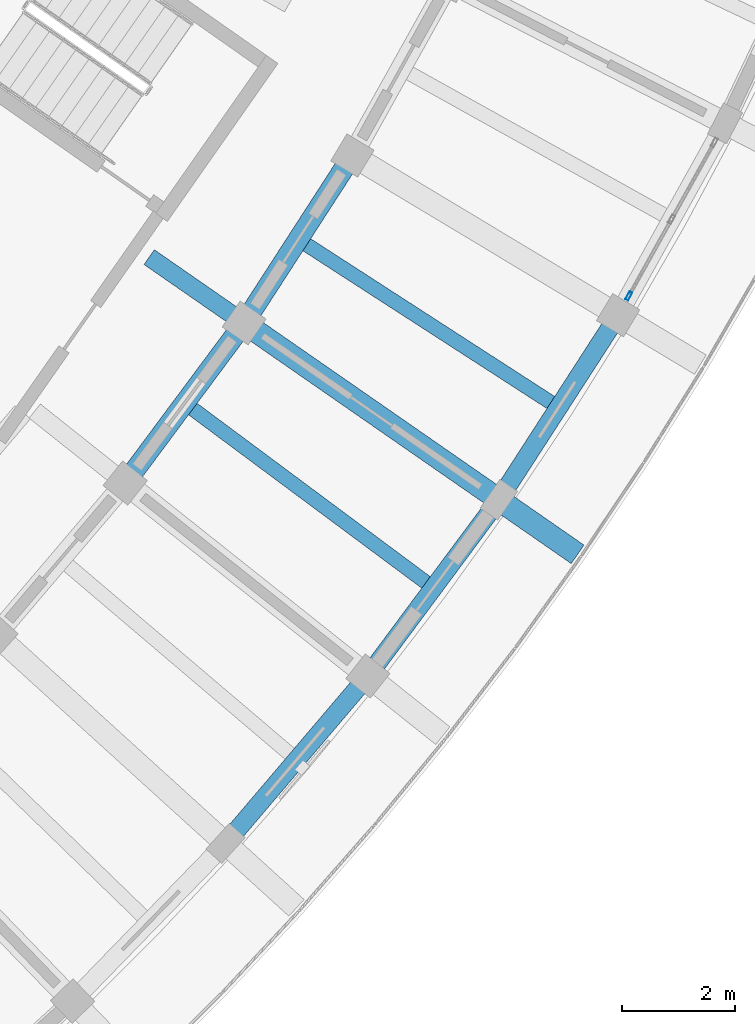
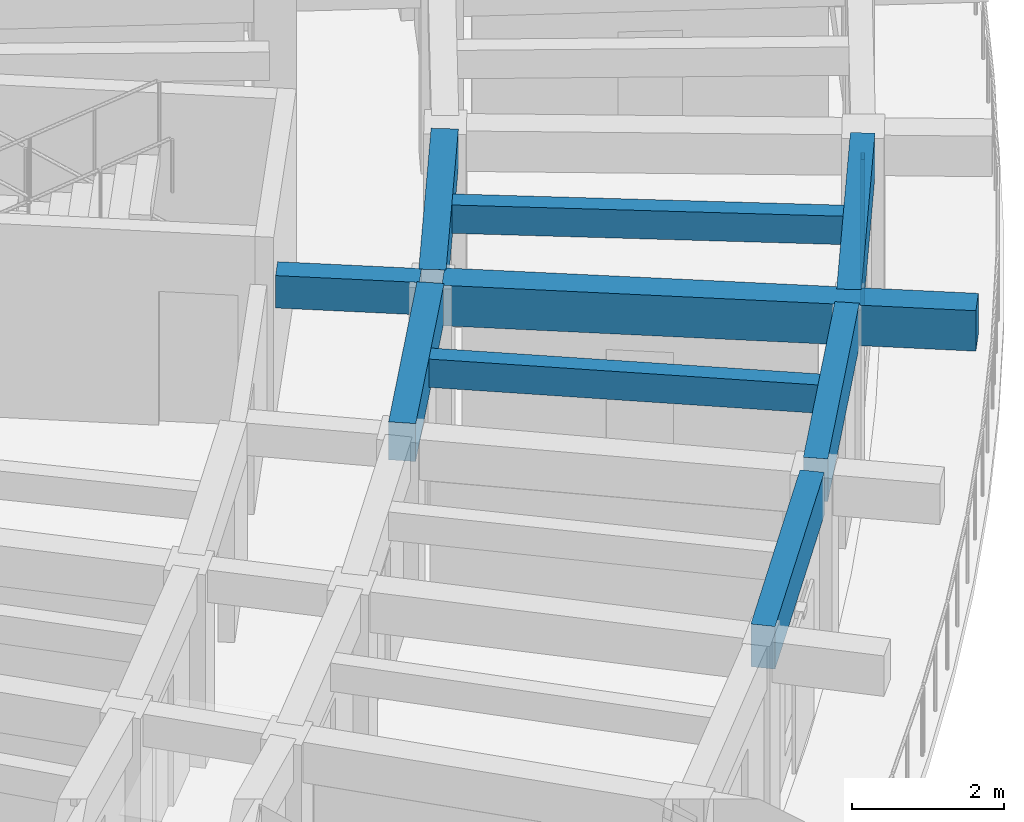
# One storey, part 30 of 96: 9 beams, 1 member, 1 element without a shape of its own.
"""IFC4 building model written with IfcOpenShell, lengths in metres."""

import ifcopenshell
import ifcopenshell.guid

model = None  # the IFC model being written
_history = None  # IfcOwnerHistory: only IFC2X3 demands one
_inside = {}  # id of a spatial element -> (the spatial element, [elements in it])
_under = {}  # id of a project, library or spatial element -> (it, [spatial elements below it])
_declared = {}  # id of a project -> (the project, [libraries it declares])
_typed = {}  # id of a type object -> (the type object, [elements of that type])
_made_of = {}  # id of a material, layer set ... -> (it, [elements and type objects made of it])


def new_model(schema):
    """Start an empty IFC model of exactly this schema.

    Asked for "IFC4X3", IfcOpenShell would pick the latest addendum, in which some entities
    have other attributes; the version numbers below select the first issue.
    IFC2X3 requires an IfcOwnerHistory on every rooted entity: one is made here for all.
    """
    global model, _history
    if schema == "IFC4X3":
        model = ifcopenshell.file(schema_version=(4, 3, 0, 0))
    else:
        model = ifcopenshell.file(schema=schema)
    _inside.clear()
    _under.clear()
    _declared.clear()
    _typed.clear()
    _made_of.clear()
    _history = None
    if model.schema == "IFC2X3":
        org = make("IfcOrganization", Name="unknown")
        user = make(
            "IfcPersonAndOrganization",
            ThePerson=make("IfcPerson", FamilyName="unknown"),
            TheOrganization=org,
        )
        app = make(
            "IfcApplication",
            ApplicationDeveloper=org,
            Version="unknown",
            ApplicationFullName="unknown",
            ApplicationIdentifier="unknown",
        )
        _history = make(
            "IfcOwnerHistory",
            OwningUser=user,
            OwningApplication=app,
            ChangeAction="ADDED",
            CreationDate=0,
        )
    return model


def make(cls, **values):
    """One entity of the class cls with the attributes given. An attribute that is None is left unset."""
    return model.create_entity(
        cls, **{name: value for name, value in values.items() if value is not None}
    )


def rooted(cls, **values):
    """An entity with a GlobalId (a new one), such as an element, a storey or a relation."""
    return make(cls, GlobalId=ifcopenshell.guid.new(), OwnerHistory=_history, **values)


def si_unit(unit_type, name, prefix=None):
    """IfcSIUnit, for example si_unit("LENGTHUNIT", "METRE", prefix="MILLI")."""
    return make("IfcSIUnit", UnitType=unit_type, Prefix=prefix, Name=name)


def assignment(units):
    """IfcUnitAssignment: the units of a project."""
    return None if units is None else make("IfcUnitAssignment", Units=units)


def point(xyz):
    """IfcCartesianPoint."""
    return None if xyz is None else make("IfcCartesianPoint", Coordinates=xyz)


def direction(xyz):
    """IfcDirection."""
    return None if xyz is None else make("IfcDirection", DirectionRatios=xyz)


def frame(location, z_axis=None, x_axis=None):
    """IfcAxis2Placement3D, a coordinate frame: its origin and axes. An axis left out is left unset."""
    return make(
        "IfcAxis2Placement3D",
        Location=point(location),
        Axis=direction(z_axis),
        RefDirection=direction(x_axis),
    )


def frame_2d(location, x_axis=None):
    """IfcAxis2Placement2D, a coordinate frame in the plane: its origin and x axis."""
    return make(
        "IfcAxis2Placement2D", Location=point(location), RefDirection=direction(x_axis)
    )


def origin():
    """The frame at (0, 0, 0) with its axes left unset."""
    return frame((0.0, 0.0, 0.0))


def origin_2d():
    """The frame at (0, 0) in the plane with its x axis left unset."""
    return frame_2d((0.0, 0.0))


def place(relative_to, where):
    """IfcLocalPlacement: puts the frame where relative to a parent placement (None: the world)."""
    return make(
        "IfcLocalPlacement", PlacementRelTo=relative_to, RelativePlacement=where
    )


def context(
    kind, dimensions, precision=None, world=None, true_north=None, identifier=None
):
    """IfcGeometricRepresentationContext, for example the 3D "Model" context."""
    return make(
        "IfcGeometricRepresentationContext",
        ContextIdentifier=identifier,
        ContextType=kind,
        CoordinateSpaceDimension=dimensions,
        Precision=precision,
        WorldCoordinateSystem=world,
        TrueNorth=true_north,
    )


def subcontext(parent, identifier, kind, view, scale=None):
    """IfcGeometricRepresentationSubContext, for example "Body" below "Model"."""
    return make(
        "IfcGeometricRepresentationSubContext",
        ContextIdentifier=identifier,
        ContextType=kind,
        ParentContext=parent,
        TargetScale=scale,
        TargetView=view,
    )


def project(units=None, contexts=None):
    """IfcProject with its units and contexts."""
    return rooted(
        "IfcProject",
        Name="project",
        RepresentationContexts=contexts,
        UnitsInContext=assignment(units),
    )


def spatial(cls, under=None, at=None, **own):
    """A site, building, storey or space (cls), placed at a placement, below another one or the project."""
    s = rooted(cls, ObjectPlacement=at, **own)
    if under is not None:
        _under.setdefault(under.id(), (under, []))[1].append(s)
    return s


def profile(cls, at=None, kind="AREA", **sizes):
    """A parametric profile (cls). Its sizes go by their IFC names, for example OverallWidth=200.0."""
    return make(cls, ProfileType=kind, Position=at, **sizes)


def rectangle(**sizes):
    """IfcRectangleProfileDef."""
    return profile("IfcRectangleProfileDef", **sizes)


def hollow_rectangle(**sizes):
    """IfcRectangleHollowProfileDef."""
    return profile("IfcRectangleHollowProfileDef", **sizes)


def extrude(swept, where, along, depth):
    """IfcExtrudedAreaSolid: the profile swept, set in the frame where, extruded along a direction by depth."""
    return make(
        "IfcExtrudedAreaSolid",
        SweptArea=swept,
        Position=where,
        ExtrudedDirection=direction(along),
        Depth=depth,
    )


def shape(context_of_items, identifier, shape_type, items):
    """IfcShapeRepresentation: the items that make up one representation, for example the "Body"."""
    return make(
        "IfcShapeRepresentation",
        ContextOfItems=context_of_items,
        RepresentationIdentifier=identifier,
        RepresentationType=shape_type,
        Items=items,
    )


def material(Name=None, Category=None):
    """IfcMaterial."""
    return make("IfcMaterial", Name=Name, Category=Category)


def material_profile(
    of_material, cross_section, Name=None, Category=None, Priority=None
):
    """IfcMaterialProfile: a cross section and its material."""
    return make(
        "IfcMaterialProfile",
        Name=Name,
        Material=of_material,
        Profile=cross_section,
        Priority=Priority,
        Category=Category,
    )


def profile_set(profiles, Name=None, composite=None):
    """IfcMaterialProfileSet."""
    return make(
        "IfcMaterialProfileSet",
        Name=Name,
        MaterialProfiles=profiles,
        CompositeProfile=composite,
    )


def made_of(thing, what):
    """Note that an element or type object is made of a material, layer set ...; save() writes the relation."""
    if what is not None:
        _made_of.setdefault(what.id(), (what, []))[1].append(thing)
    return thing


def type_object(cls, material=None, **own):
    """A type object (cls), such as IfcWallType, which elements share."""
    return made_of(rooted(cls, **own), material)


def element(
    cls,
    number,
    at=None,
    inside=None,
    cuts=None,
    type_object=None,
    material=None,
    context=None,
    identifier="Body",
    shape_type=None,
    held_by="IfcProductDefinitionShape",
    body=None,
    shapes=None,
    **own,
):
    """One element of the class cls, such as IfcWall. Its Tag is "e" and its number.

    at: its placement. inside: the storey or other place that contains it. cuts: it is an
    opening in that element (IfcRelVoidsElement). A single representation is given by context,
    identifier, shape_type and body (its items); several are given by shapes. held_by: the class
    of the entity that holds the representations. save() writes the other relations.
    """
    e = rooted(cls, Tag="e%d" % number, ObjectPlacement=at, **own)
    if body is not None:
        shapes = [shape(context, identifier, shape_type, body)]
    if shapes is not None:
        e.Representation = make(held_by, Representations=shapes)
    if inside is not None:
        _inside.setdefault(inside.id(), (inside, []))[1].append(e)
    if cuts is not None:
        rooted(
            "IfcRelVoidsElement", RelatingBuildingElement=cuts, RelatedOpeningElement=e
        )
    if type_object is not None:
        _typed.setdefault(type_object.id(), (type_object, []))[1].append(e)
    return made_of(e, material)


def aggregate(whole, parts):
    """IfcRelAggregates: a whole, such as a stair, and the parts it consists of."""
    return rooted("IfcRelAggregates", RelatingObject=whole, RelatedObjects=parts)


def save(model, path):
    """Write the relations noted so far, then the file.

    IfcRelAggregates (storeys below a building ...), IfcRelContainedInSpatialStructure (elements
    in a storey), IfcRelDefinesByType, IfcRelAssociatesMaterial and IfcRelDeclares: one each for
    every whole, place, type object, material and project.
    """
    for whole, parts in _under.values():
        aggregate(whole, parts)
    for where, things in _inside.values():
        rooted(
            "IfcRelContainedInSpatialStructure",
            RelatedElements=things,
            RelatingStructure=where,
        )
    for kind, things in _typed.values():
        rooted("IfcRelDefinesByType", RelatedObjects=things, RelatingType=kind)
    for what, things in _made_of.values():
        rooted("IfcRelAssociatesMaterial", RelatedObjects=things, RelatingMaterial=what)
    for by, libraries in _declared.values():
        rooted("IfcRelDeclares", RelatingContext=by, RelatedDefinitions=libraries)
    model.write(path)


model = new_model("IFC4")

# Units and contexts
model_context = context("Model", 3, precision=1e-05, world=origin(), true_north=direction((0.0, 1.0)))
body_context = subcontext(model_context, "Body", "Model", "MODEL_VIEW")
ifc_project = project(units=[si_unit("LENGTHUNIT", "METRE"), si_unit("AREAUNIT", "SQUARE_METRE"), si_unit("VOLUMEUNIT", "CUBIC_METRE"), si_unit("PLANEANGLEUNIT", "RADIAN"), si_unit("MASSUNIT", "GRAM", prefix="KILO")], contexts=[model_context])

# Site, building, storey
site_placement = place(None, origin())
site = spatial("IfcSite", under=ifc_project, at=site_placement, CompositionType="ELEMENT")
building_placement = place(site_placement, origin())
building = spatial("IfcBuilding", under=site, at=building_placement, Name="Tanwirah Colonnade Gardens", CompositionType="ELEMENT")
storey_placement = place(building_placement, frame((0.0, 0.0, 12.199951171875)))
storey = spatial("IfcBuildingStorey", under=building, at=storey_placement, Name="L03", CompositionType="ELEMENT", Elevation=12.199951171875)

# Beams
ifc_material_1 = material(Name="Precast concrete C40/50", Category="concrete")
ifc_material_profile_1 = material_profile(ifc_material_1, rectangle(XDim=0.360107421875, YDim=0.610107421875, at=origin_2d()), Name="PC-BM 360x610")
ifc_profile_set_1 = profile_set([ifc_material_profile_1], Name="Precast concrete C40/50")
beam_type_1 = type_object("IfcBeamType", Name="BM-PC300", PredefinedType="BEAM", material=ifc_profile_set_1)
beam_1_placement = place(storey_placement, frame((163.389404296875, 30.973388671875, 2.800048828125), z_axis=(0.596579473879, 0.802554005252, 0.0), x_axis=(-0.802554005252, 0.596579473879, 0.0)))
element("IfcBeam", 1, at=beam_1_placement, inside=storey, type_object=beam_type_1, Name="Block D L03 Circumferential Beam 10-R2", PredefinedType="BEAM", context=body_context, shape_type="SweptSolid", body=[
    extrude(rectangle(XDim=0.360107421875, YDim=0.610107421875, at=origin_2d()), origin(), (0.0, 0.0, 1.0), 3.237060546875),
])
beam_2_placement = place(storey_placement, frame((165.491455078125, 33.817626953125, 2.800048828125), z_axis=(0.542825891173, 0.839845254718, 0.0), x_axis=(-0.839845254718, 0.542825891173, 0.0)))
element("IfcBeam", 2, at=beam_2_placement, inside=storey, type_object=beam_type_1, Name="Block D L03 Circumferential Beam 11-R2", PredefinedType="BEAM", context=body_context, shape_type="SweptSolid", body=[
    extrude(rectangle(XDim=0.360107421875, YDim=0.610107421875, at=origin_2d()), origin(), (0.0, 0.0, 1.0), 3.23681640625),
])
ifc_material_profile_2 = material_profile(ifc_material_1, rectangle(XDim=0.320068359375, YDim=0.52001953125, at=origin_2d()), Name="PC-BM 320x520")
ifc_profile_set_2 = profile_set([ifc_material_profile_2], Name="Precast concrete C40/50")
beam_type_2 = type_object("IfcBeamType", Name="BM-PC320", PredefinedType="BEAM", material=ifc_profile_set_2)
beam_3_placement = place(storey_placement, frame((163.7255859375, 34.860107421875, 2.844970703125), z_axis=(0.821669163201, -0.569964723684, 0.0), x_axis=(0.569964723684, 0.821669163201, 0.0)))
element("IfcBeam", 3, at=beam_3_placement, inside=storey, type_object=beam_type_2, Name="Block D L03 Corridor Tie Beam 11", PredefinedType="BEAM", context=body_context, shape_type="SweptSolid", body=[
    extrude(rectangle(XDim=0.320068359375, YDim=0.52001953125, at=origin_2d()), origin(), (0.0, 0.0, 1.0), 1.900146484375),
])
ifc_material_2 = material(Name="Precast concrete C45/55", Category="concrete")
ifc_material_profile_3 = material_profile(ifc_material_2, rectangle(XDim=0.39990234375, YDim=0.64990234375, at=origin_2d()), Name="PC-BM 400x650")
ifc_profile_set_3 = profile_set([ifc_material_profile_3], Name="Precast concrete C45/55")
beam_type_3 = type_object("IfcBeamType", Name="BM-PC400", PredefinedType="BEAM", material=ifc_profile_set_3)
beam_4_placement = place(storey_placement, frame((165.533203125, 33.606201171875, 2.780029296875), z_axis=(0.821647028495, -0.569996632066, 0.0), x_axis=(0.569996632066, 0.821647028495, 0.0)))
element("IfcBeam", 4, at=beam_4_placement, inside=storey, type_object=beam_type_3, Name="Block D L03 Outer Radial Precast Girder 11", PredefinedType="BEAM", context=body_context, shape_type="SweptSolid", body=[
    extrude(rectangle(XDim=0.39990234375, YDim=0.64990234375, at=origin_2d()), origin(), (0.0, 0.0, 1.0), 7.050048828125),
])

# Curtain wall, member
ifc_material_3 = material(Name="Bronze-anodised aluminium and solar-control low-E glass", Category="aluminium")
curtain_wall_type = type_object("IfcCurtainWallType", Name="CW-LOB", PredefinedType="NOTDEFINED", material=ifc_material_3)
curtain_wall_placement = place(storey_placement, origin())
curtain_wall = element("IfcCurtainWall", 5, at=curtain_wall_placement, inside=storey, type_object=curtain_wall_type, Name="Curtain Wall CW-D-L03-OUT-12", PredefinedType="NOTDEFINED")
ifc_material_4 = material(Name="Bronze-anodised aluminium", Category="aluminium")
ifc_material_profile_4 = material_profile(ifc_material_4, hollow_rectangle(XDim=0.06005859375, YDim=0.159912109375, WallThickness=0.00390625, at=origin_2d()), Name="CW-MUL 60x160x4")
ifc_profile_set_4 = profile_set([ifc_material_profile_4], Name="Bronze-anodised aluminium")
member_type = type_object("IfcMemberType", Name="CWM-60x160", PredefinedType="MULLION", material=ifc_profile_set_4)
member_placement = place(storey_placement, frame((172.234130859375, 34.170166015625, 0.0), z_axis=(0.0, 0.0, 1.0), x_axis=(-0.873560768318, 0.486715095364, 0.0)))
member = element("IfcMember", 6, at=member_placement, type_object=member_type, Name="CW-LOB mullion 1", PredefinedType="MULLION", context=body_context, shape_type="SweptSolid", body=[
    extrude(hollow_rectangle(XDim=0.06005859375, YDim=0.159912109375, WallThickness=0.00390625, at=origin_2d()), origin(), (0.0, 0.0, 1.0), 2.35498046875),
])
aggregate(curtain_wall, [member])

# Beams
ifc_material_profile_5 = material_profile(ifc_material_1, rectangle(XDim=0.2548828125, YDim=0.455078125, at=origin_2d()), Name="PC-JST 255x455")
ifc_profile_set_5 = profile_set([ifc_material_profile_5], Name="Precast concrete C40/50")
beam_type_4 = type_object("IfcBeamType", Name="JST-PC240", PredefinedType="JOIST", material=ifc_profile_set_5)
for number, where, z_axis, x_axis, name in (
    (7, (164.474609375, 32.18359375, 2.87744140625), (0.802560347737, -0.596570941499, 0.0), (0.596570941499, 0.802560347737, 0.0), "Block D L03 Precast Floor Joist 10"),
    (8, (166.4951171875, 35.09619140625, 2.87744140625), (0.839842770955, -0.542829733963, 0.0), (0.542829733963, 0.839842770955, 0.0), "Block D L03 Precast Floor Joist 11"),
):
    element("IfcBeam", number, at=place(storey_placement, frame(where, z_axis=z_axis, x_axis=x_axis)), inside=storey, type_object=beam_type_4, Name=name, PredefinedType="JOIST", context=body_context, shape_type="SweptSolid", body=[
        extrude(rectangle(XDim=0.2548828125, YDim=0.455078125, at=origin_2d()), origin(), (0.0, 0.0, 1.0), 5.260009765625),
    ])
ifc_material_profile_6 = material_profile(ifc_material_1, rectangle(XDim=0.324951171875, YDim=0.68505859375, at=origin_2d()), Name="PC-SP 325x685")
ifc_profile_set_6 = profile_set([ifc_material_profile_6], Name="Precast concrete C40/50")
beam_type_5 = type_object("IfcBeamType", Name="SP-PC260", PredefinedType="SPANDREL", material=ifc_profile_set_6)
beam_5_placement = place(storey_placement, frame((165.17724609375, 24.574951171875, 2.762451171875), z_axis=(0.647784367984, 0.76182374116, 0.0), x_axis=(-0.76182374116, 0.647784367984, 0.0)))
element("IfcBeam", 9, at=beam_5_placement, inside=storey, type_object=beam_type_5, Name="Block D L03 Circumferential Beam 9-R3", PredefinedType="SPANDREL", context=body_context, shape_type="SweptSolid", body=[
    extrude(rectangle(XDim=0.324951171875, YDim=0.68505859375, at=origin_2d()), origin(), (0.0, 0.0, 1.0), 3.5966796875),
])
for number, where, z_axis, x_axis, name in (
    (10, (167.69384765625, 27.549560546875, 2.762451171875), (0.596562665898, 0.802566499212, 0.0), (-0.802566499212, 0.596562665898, 0.0), "Block D L03 Circumferential Beam 10-R3"),
    (11, (170.010498046875, 30.6826171875, 2.762451171875), (0.542786838894, 0.839870494495, 0.0), (-0.839870494495, 0.542786838894, 0.0), "Block D L03 Circumferential Beam 11-R3"),
):
    element("IfcBeam", number, at=place(storey_placement, frame(where, z_axis=z_axis, x_axis=x_axis)), inside=storey, type_object=beam_type_5, Name=name, PredefinedType="SPANDREL", context=body_context, shape_type="SweptSolid", body=[
        extrude(rectangle(XDim=0.324951171875, YDim=0.68505859375, at=origin_2d()), origin(), (0.0, 0.0, 1.0), 3.596923828125),
    ])

save(model, "model.ifc")
